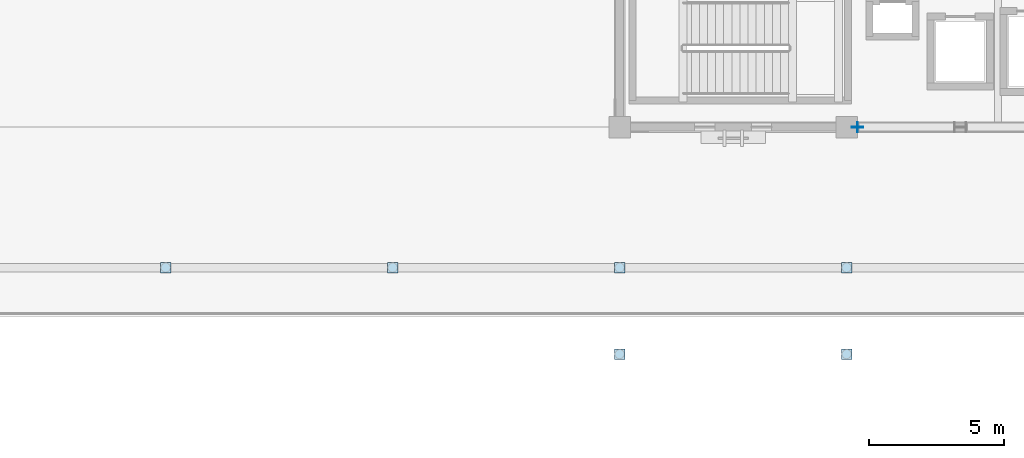
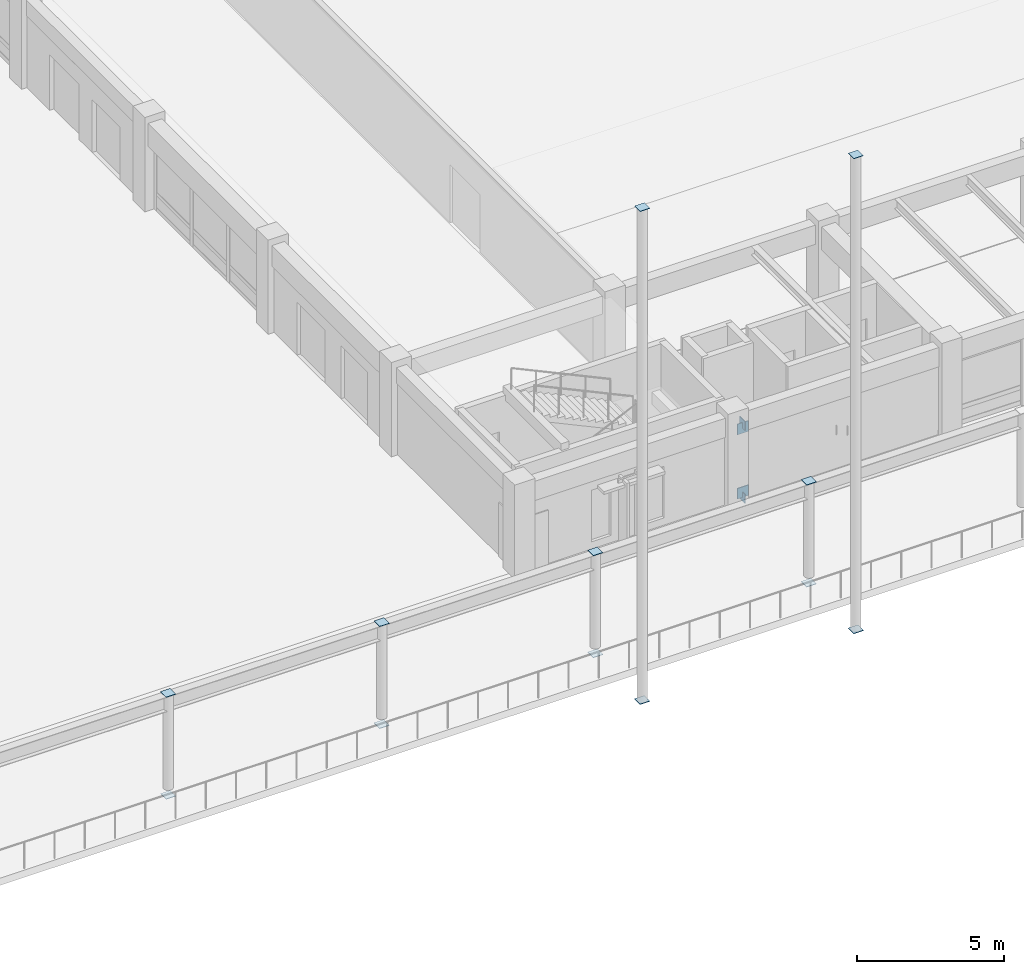
# One storey, part 81 of 135: 16 plates.
"""IFC4 building model written with IfcOpenShell, lengths in metres."""

import ifcopenshell
import ifcopenshell.guid

model = None  # the IFC model being written
_history = None  # IfcOwnerHistory: only IFC2X3 demands one
_inside = {}  # id of a spatial element -> (the spatial element, [elements in it])
_under = {}  # id of a project, library or spatial element -> (it, [spatial elements below it])
_declared = {}  # id of a project -> (the project, [libraries it declares])
_typed = {}  # id of a type object -> (the type object, [elements of that type])
_made_of = {}  # id of a material, layer set ... -> (it, [elements and type objects made of it])


def new_model(schema):
    """Start an empty IFC model of exactly this schema.

    Asked for "IFC4X3", IfcOpenShell would pick the latest addendum, in which some entities
    have other attributes; the version numbers below select the first issue.
    IFC2X3 requires an IfcOwnerHistory on every rooted entity: one is made here for all.
    """
    global model, _history
    if schema == "IFC4X3":
        model = ifcopenshell.file(schema_version=(4, 3, 0, 0))
    else:
        model = ifcopenshell.file(schema=schema)
    _inside.clear()
    _under.clear()
    _declared.clear()
    _typed.clear()
    _made_of.clear()
    _history = None
    if model.schema == "IFC2X3":
        org = make("IfcOrganization", Name="unknown")
        user = make(
            "IfcPersonAndOrganization",
            ThePerson=make("IfcPerson", FamilyName="unknown"),
            TheOrganization=org,
        )
        app = make(
            "IfcApplication",
            ApplicationDeveloper=org,
            Version="unknown",
            ApplicationFullName="unknown",
            ApplicationIdentifier="unknown",
        )
        _history = make(
            "IfcOwnerHistory",
            OwningUser=user,
            OwningApplication=app,
            ChangeAction="ADDED",
            CreationDate=0,
        )
    return model


def make(cls, **values):
    """One entity of the class cls with the attributes given. An attribute that is None is left unset."""
    return model.create_entity(
        cls, **{name: value for name, value in values.items() if value is not None}
    )


def rooted(cls, **values):
    """An entity with a GlobalId (a new one), such as an element, a storey or a relation."""
    return make(cls, GlobalId=ifcopenshell.guid.new(), OwnerHistory=_history, **values)


def si_unit(unit_type, name, prefix=None):
    """IfcSIUnit, for example si_unit("LENGTHUNIT", "METRE", prefix="MILLI")."""
    return make("IfcSIUnit", UnitType=unit_type, Prefix=prefix, Name=name)


def assignment(units):
    """IfcUnitAssignment: the units of a project."""
    return None if units is None else make("IfcUnitAssignment", Units=units)


def point(xyz):
    """IfcCartesianPoint."""
    return None if xyz is None else make("IfcCartesianPoint", Coordinates=xyz)


def direction(xyz):
    """IfcDirection."""
    return None if xyz is None else make("IfcDirection", DirectionRatios=xyz)


def frame(location, z_axis=None, x_axis=None):
    """IfcAxis2Placement3D, a coordinate frame: its origin and axes. An axis left out is left unset."""
    return make(
        "IfcAxis2Placement3D",
        Location=point(location),
        Axis=direction(z_axis),
        RefDirection=direction(x_axis),
    )


def frame_2d(location, x_axis=None):
    """IfcAxis2Placement2D, a coordinate frame in the plane: its origin and x axis."""
    return make(
        "IfcAxis2Placement2D", Location=point(location), RefDirection=direction(x_axis)
    )


def origin():
    """The frame at (0, 0, 0) with its axes left unset."""
    return frame((0.0, 0.0, 0.0))


def origin_2d():
    """The frame at (0, 0) in the plane with its x axis left unset."""
    return frame_2d((0.0, 0.0))


def place(relative_to, where):
    """IfcLocalPlacement: puts the frame where relative to a parent placement (None: the world)."""
    return make(
        "IfcLocalPlacement", PlacementRelTo=relative_to, RelativePlacement=where
    )


def context(
    kind, dimensions, precision=None, world=None, true_north=None, identifier=None
):
    """IfcGeometricRepresentationContext, for example the 3D "Model" context."""
    return make(
        "IfcGeometricRepresentationContext",
        ContextIdentifier=identifier,
        ContextType=kind,
        CoordinateSpaceDimension=dimensions,
        Precision=precision,
        WorldCoordinateSystem=world,
        TrueNorth=true_north,
    )


def subcontext(parent, identifier, kind, view, scale=None):
    """IfcGeometricRepresentationSubContext, for example "Body" below "Model"."""
    return make(
        "IfcGeometricRepresentationSubContext",
        ContextIdentifier=identifier,
        ContextType=kind,
        ParentContext=parent,
        TargetScale=scale,
        TargetView=view,
    )


def project(units=None, contexts=None):
    """IfcProject with its units and contexts."""
    return rooted(
        "IfcProject",
        Name="project",
        RepresentationContexts=contexts,
        UnitsInContext=assignment(units),
    )


def spatial(cls, under=None, at=None, **own):
    """A site, building, storey or space (cls), placed at a placement, below another one or the project."""
    s = rooted(cls, ObjectPlacement=at, **own)
    if under is not None:
        _under.setdefault(under.id(), (under, []))[1].append(s)
    return s


def profile(cls, at=None, kind="AREA", **sizes):
    """A parametric profile (cls). Its sizes go by their IFC names, for example OverallWidth=200.0."""
    return make(cls, ProfileType=kind, Position=at, **sizes)


def rectangle(**sizes):
    """IfcRectangleProfileDef."""
    return profile("IfcRectangleProfileDef", **sizes)


def extrude(swept, where, along, depth):
    """IfcExtrudedAreaSolid: the profile swept, set in the frame where, extruded along a direction by depth."""
    return make(
        "IfcExtrudedAreaSolid",
        SweptArea=swept,
        Position=where,
        ExtrudedDirection=direction(along),
        Depth=depth,
    )


def shape(context_of_items, identifier, shape_type, items):
    """IfcShapeRepresentation: the items that make up one representation, for example the "Body"."""
    return make(
        "IfcShapeRepresentation",
        ContextOfItems=context_of_items,
        RepresentationIdentifier=identifier,
        RepresentationType=shape_type,
        Items=items,
    )


def material(Name=None, Category=None):
    """IfcMaterial."""
    return make("IfcMaterial", Name=Name, Category=Category)


def layer(
    of_material, thickness, ventilated=None, Name=None, Category=None, Priority=None
):
    """IfcMaterialLayer: one layer of a wall or slab, of a material (None: an air gap)."""
    return make(
        "IfcMaterialLayer",
        Material=of_material,
        LayerThickness=thickness,
        IsVentilated=ventilated,
        Name=Name,
        Category=Category,
        Priority=Priority,
    )


def layer_set(layers, Name=None):
    """IfcMaterialLayerSet."""
    return make("IfcMaterialLayerSet", MaterialLayers=layers, LayerSetName=Name)


def made_of(thing, what):
    """Note that an element or type object is made of a material, layer set ...; save() writes the relation."""
    if what is not None:
        _made_of.setdefault(what.id(), (what, []))[1].append(thing)
    return thing


def type_object(cls, material=None, **own):
    """A type object (cls), such as IfcWallType, which elements share."""
    return made_of(rooted(cls, **own), material)


def element(
    cls,
    number,
    at=None,
    inside=None,
    cuts=None,
    type_object=None,
    material=None,
    context=None,
    identifier="Body",
    shape_type=None,
    held_by="IfcProductDefinitionShape",
    body=None,
    shapes=None,
    **own,
):
    """One element of the class cls, such as IfcWall. Its Tag is "e" and its number.

    at: its placement. inside: the storey or other place that contains it. cuts: it is an
    opening in that element (IfcRelVoidsElement). A single representation is given by context,
    identifier, shape_type and body (its items); several are given by shapes. held_by: the class
    of the entity that holds the representations. save() writes the other relations.
    """
    e = rooted(cls, Tag="e%d" % number, ObjectPlacement=at, **own)
    if body is not None:
        shapes = [shape(context, identifier, shape_type, body)]
    if shapes is not None:
        e.Representation = make(held_by, Representations=shapes)
    if inside is not None:
        _inside.setdefault(inside.id(), (inside, []))[1].append(e)
    if cuts is not None:
        rooted(
            "IfcRelVoidsElement", RelatingBuildingElement=cuts, RelatedOpeningElement=e
        )
    if type_object is not None:
        _typed.setdefault(type_object.id(), (type_object, []))[1].append(e)
    return made_of(e, material)


def aggregate(whole, parts):
    """IfcRelAggregates: a whole, such as a stair, and the parts it consists of."""
    return rooted("IfcRelAggregates", RelatingObject=whole, RelatedObjects=parts)


def save(model, path):
    """Write the relations noted so far, then the file.

    IfcRelAggregates (storeys below a building ...), IfcRelContainedInSpatialStructure (elements
    in a storey), IfcRelDefinesByType, IfcRelAssociatesMaterial and IfcRelDeclares: one each for
    every whole, place, type object, material and project.
    """
    for whole, parts in _under.values():
        aggregate(whole, parts)
    for where, things in _inside.values():
        rooted(
            "IfcRelContainedInSpatialStructure",
            RelatedElements=things,
            RelatingStructure=where,
        )
    for kind, things in _typed.values():
        rooted("IfcRelDefinesByType", RelatedObjects=things, RelatingType=kind)
    for what, things in _made_of.values():
        rooted("IfcRelAssociatesMaterial", RelatedObjects=things, RelatingMaterial=what)
    for by, libraries in _declared.values():
        rooted("IfcRelDeclares", RelatingContext=by, RelatedDefinitions=libraries)
    model.write(path)


model = new_model("IFC4")

# Units and contexts
model_context = context("Model", 3, precision=1e-05, world=origin(), true_north=direction((0.0, 1.0)))
body_context = subcontext(model_context, "Body", "Model", "MODEL_VIEW")
ifc_project = project(units=[si_unit("LENGTHUNIT", "METRE"), si_unit("AREAUNIT", "SQUARE_METRE"), si_unit("VOLUMEUNIT", "CUBIC_METRE"), si_unit("PLANEANGLEUNIT", "RADIAN"), si_unit("MASSUNIT", "GRAM", prefix="KILO")], contexts=[model_context])

# Site, building, storey
site_placement = place(None, origin())
site = spatial("IfcSite", under=ifc_project, at=site_placement, CompositionType="ELEMENT")
building_placement = place(site_placement, origin())
building = spatial("IfcBuilding", under=site, at=building_placement, Name="Cumbredor Promenade Congress Hotel", CompositionType="ELEMENT")
storey_placement = place(building_placement, origin())
storey = spatial("IfcBuildingStorey", under=building, at=storey_placement, Name="L00", CompositionType="ELEMENT", Elevation=0.0)

# Plates
ifc_material = material(Name="Steel ASTM A572 Grade 50", Category="steel")
ifc_layer_1 = layer(ifc_material, 0.02001953125, Name="Steel ASTM A572 Grade 50", Category="steel")
ifc_layer_set_1 = layer_set([ifc_layer_1], Name="Steel ASTM A572 Grade 50")
plate_type_1 = type_object("IfcPlateType", Name="Hollow Section End Cap Plate CP-04", PredefinedType="USERDEFINED", material=ifc_layer_set_1)
for number, where, z_axis, x_axis, name in (
    (1, (126.0, 3.199951171875, -0.318115234375), (0.0, 0.0, 1.0), (1.0, 0.0, 0.0), "Promenade Colonnade Column TC-023 Start Cap Plate"),
    (2, (126.0, 3.199951171875, 3.91796875), (0.0, 0.0, 1.0), (1.0, 0.0, 0.0), "Promenade Colonnade Column TC-023 End Cap Plate"),
    (3, (134.39990234375, 3.199951171875, -0.318115234375), (0.0, 0.0, 1.0), (1.0, 0.0, 0.0), "Promenade Colonnade Column TC-024 Start Cap Plate"),
    (4, (134.39990234375, 3.199951171875, 3.91796875), (0.0, 0.0, 1.0), (1.0, 0.0, 0.0), "Promenade Colonnade Column TC-024 End Cap Plate"),
    (5, (142.800048828125, 3.199951171875, -0.318115234375), (0.0, 0.0, 1.0), (1.0, 0.0, 0.0), "Promenade Colonnade Column TC-025 Start Cap Plate"),
    (6, (142.800048828125, 3.199951171875, 3.91796875), (0.0, 0.0, 1.0), (1.0, 0.0, 0.0), "Promenade Colonnade Column TC-025 End Cap Plate"),
    (7, (151.199951171875, 3.199951171875, -0.318115234375), (0.0, 0.0, 1.0), (1.0, 0.0, 0.0), "Promenade Colonnade Column TC-026 Start Cap Plate"),
    (8, (151.199951171875, 3.199951171875, 3.91796875), (0.0, 0.0, 1.0), (1.0, 0.0, 0.0), "Promenade Colonnade Column TC-026 End Cap Plate"),
):
    element("IfcPlate", number, at=place(storey_placement, frame(where, z_axis=z_axis, x_axis=x_axis)), inside=storey, type_object=plate_type_1, Name=name, ObjectType="CAP PLATE", PredefinedType="USERDEFINED", context=body_context, shape_type="SweptSolid", body=[
        extrude(rectangle(XDim=0.3798828125, YDim=0.3798828125, at=origin_2d()), origin(), (0.0, 0.0, 1.0), 0.02001953125),
    ])
for number, where, z_axis, x_axis, name in (
    (9, (151.592529296875, 8.39990234375, -0.19287109375), (0.0, 0.0, 1.0), (1.0, 0.0, 0.0), "L00 X-Brace Continuous Diagonal 11A Start Cap Plate"),
    (10, (151.592529296875, 8.39990234375, 2.843017578125), (0.0, 0.0, 1.0), (-1.0, 0.0, 0.0), "L00 X-Brace Upper Split Diagonal 11B2 End Cap Plate"),
):
    element("IfcPlate", number, at=place(storey_placement, frame(where, z_axis=z_axis, x_axis=x_axis)), inside=storey, type_object=plate_type_1, Name=name, ObjectType="CAP PLATE", PredefinedType="USERDEFINED", context=body_context, shape_type="SweptSolid", body=[
        extrude(rectangle(XDim=0.02001953125, YDim=0.3798828125, at=origin_2d()), origin(), (0.0, 0.0, 1.0), 0.3798828125),
    ])
for number, where, z_axis, x_axis, name in (
    (11, (142.800048828125, 0.0, -0.318115234375), (0.0, 0.0, 1.0), (1.0, 0.0, 0.0), "Grand Ballroom Pavilion Slim Overhang Pavilion Column 01 Start Cap Plate"),
    (12, (142.800048828125, 0.0, 20.17919921875), (0.0, 0.0, 1.0), (1.0, 0.0, 0.0), "Grand Ballroom Pavilion Slim Overhang Pavilion Column 01 End Cap Plate"),
    (13, (151.199951171875, 0.0, -0.318115234375), (0.0, 0.0, 1.0), (1.0, 0.0, 0.0), "Grand Ballroom Pavilion Slim Overhang Pavilion Column 02 Start Cap Plate"),
    (14, (151.199951171875, 0.0, 19.429443359375), (0.0, 0.0, 1.0), (1.0, 0.0, 0.0), "Grand Ballroom Pavilion Slim Overhang Pavilion Column 02 End Cap Plate"),
):
    element("IfcPlate", number, at=place(storey_placement, frame(where, z_axis=z_axis, x_axis=x_axis)), inside=storey, type_object=plate_type_1, Name=name, ObjectType="CAP PLATE", PredefinedType="USERDEFINED", context=body_context, shape_type="SweptSolid", body=[
        extrude(rectangle(XDim=0.3798828125, YDim=0.3798828125, at=origin_2d()), origin(), (0.0, 0.0, 1.0), 0.02001953125),
    ])
ifc_layer_2 = layer(ifc_material, 0.028076171875, Name="Steel ASTM A572 Grade 50", Category="steel")
ifc_layer_set_2 = layer_set([ifc_layer_2], Name="Steel ASTM A572 Grade 50")
plate_type_2 = type_object("IfcPlateType", Name="Space Frame Node Assembly ND-03", PredefinedType="USERDEFINED", material=ifc_layer_set_2)
for number, where, z_axis, x_axis, name in (
    (15, (151.60009765625, 8.39990234375, -0.0400390625), (0.0, 0.0, 1.0), (1.0, 0.0, 0.0), "L00 Seismic Frame Gusset Plate 11-BL"),
    (16, (151.60009765625, 8.39990234375, 2.630126953125), (0.0, 0.0, 1.0), (1.0, 0.0, 0.0), "L00 Seismic Frame Gusset Plate 11-TL"),
):
    element("IfcPlate", number, at=place(storey_placement, frame(where, z_axis=z_axis, x_axis=x_axis)), inside=storey, type_object=plate_type_2, Name=name, ObjectType="GUSSET PLATE", PredefinedType="USERDEFINED", context=body_context, shape_type="SweptSolid", body=[
        extrude(rectangle(XDim=0.43994140625, YDim=0.028076171875, at=origin_2d()), origin(), (0.0, 0.0, 1.0), 0.43994140625),
    ])

save(model, "model.ifc")
